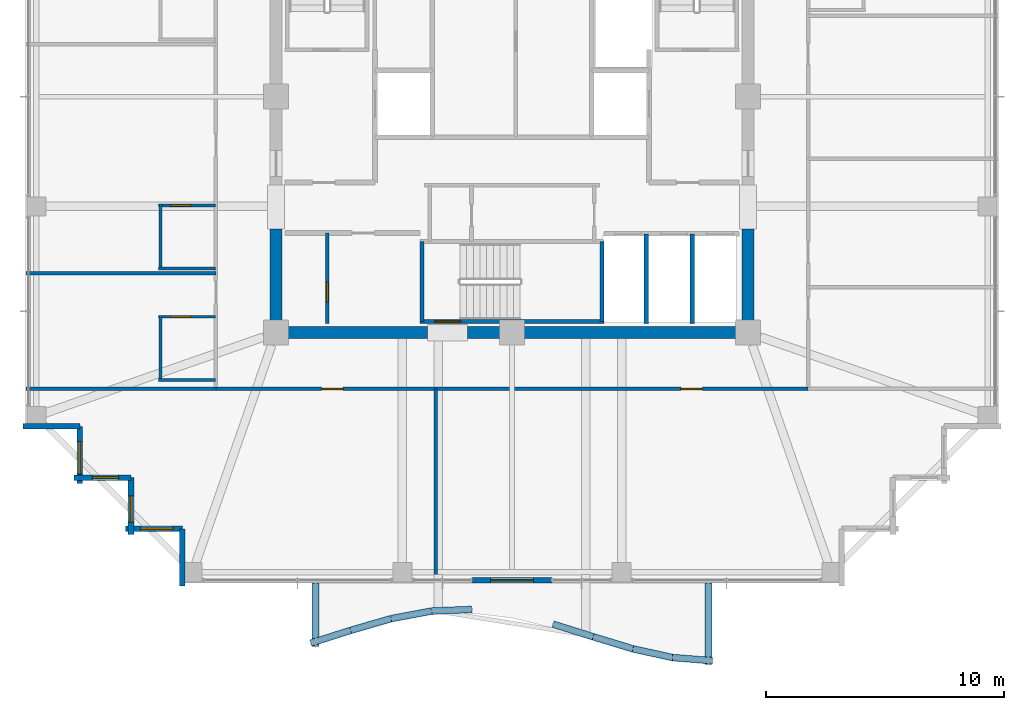
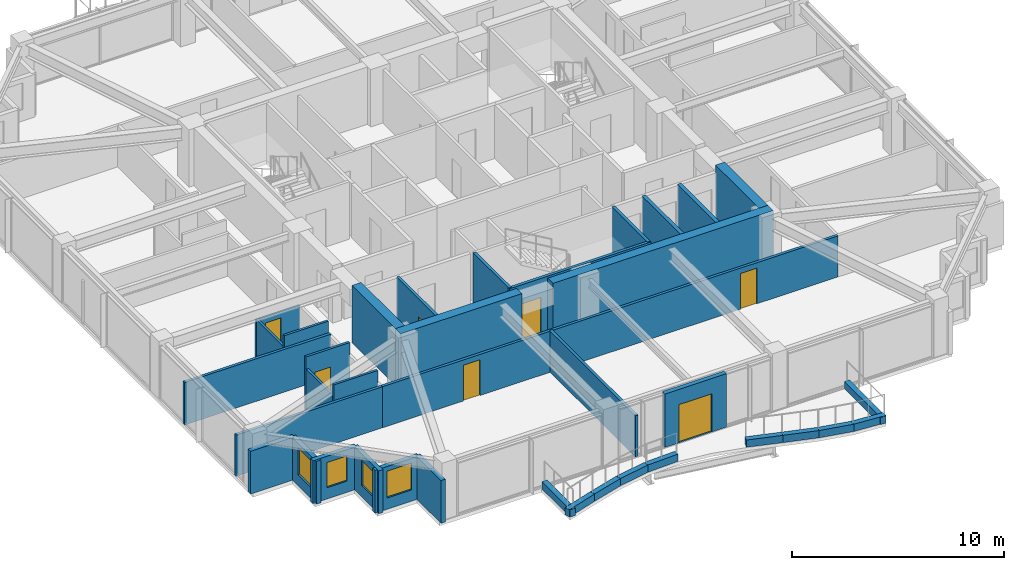
# One storey, part 30 of 36: 37 walls, 7 doors, 4 windows, 11 openings.
"""IFC4 building model written with IfcOpenShell, lengths in metres."""

from ifc_helpers import new_model, si_unit, direction, frame, frame_2d, origin, place, context, subcontext, project, spatial, rectangle, extrude, material, layer, layer_set, type_object, element, fill, save


model = new_model("IFC4")

# Units and contexts
model_context = context("Model", 3, precision=1e-05, world=origin(), true_north=direction((0.0, 1.0)))
body_context = subcontext(model_context, "Body", "Model", "MODEL_VIEW")
ifc_project = project(units=[si_unit("LENGTHUNIT", "METRE"), si_unit("AREAUNIT", "SQUARE_METRE"), si_unit("VOLUMEUNIT", "CUBIC_METRE"), si_unit("PLANEANGLEUNIT", "RADIAN"), si_unit("MASSUNIT", "GRAM", prefix="KILO")], contexts=[model_context])

# Site, building, storey
site_placement = place(None, origin())
site = spatial("IfcSite", under=ifc_project, at=site_placement, CompositionType="ELEMENT")
building_placement = place(site_placement, origin())
building = spatial("IfcBuilding", under=site, at=building_placement, Name="Kolvaren Belvedere", CompositionType="ELEMENT")
storey_placement = place(building_placement, frame((0.0, 0.0, 193.199951171875)))
storey = spatial("IfcBuildingStorey", under=building, at=storey_placement, Name="L56", CompositionType="ELEMENT", Elevation=193.199951171875)

# Walls
ifc_material_1 = material(Name="Concrete C50/60", Category="concrete")
ifc_layer_1 = layer(ifc_material_1, 0.5)
ifc_layer_set_1 = layer_set([ifc_layer_1], Name="Concrete C50/60")
wall_type_1 = type_object("IfcWallType", Name="CW-CORE-500", PredefinedType="SHEAR", material=ifc_layer_set_1)
wall_1_placement = place(storey_placement, frame((10.14990234375, -9.89990234375, 0.0), z_axis=(0.0, 0.0, 1.0), x_axis=(-1.0, 0.0, 0.0)))
element("IfcWall", 1, at=wall_1_placement, inside=storey, type_object=wall_type_1, Name="L56 South Core Shear Wall 1", PredefinedType="SHEAR", context=body_context, shape_type="SweptSolid", body=[
    extrude(rectangle(XDim=12.010009765625, YDim=0.5, at=frame_2d((6.0048828125, 0.0))), origin(), (0.0, 0.0, 1.0), 3.300048828125),
])
wall_2_placement = place(storey_placement, frame((-3.5400390625, -9.89990234375, 0.0), z_axis=(0.0, 0.0, 1.0), x_axis=(-1.0, 0.0, 0.0)))
element("IfcWall", 2, at=wall_2_placement, inside=storey, type_object=wall_type_1, Name="L56 South Core Shear Wall 2", PredefinedType="SHEAR", context=body_context, shape_type="SweptSolid", body=[
    extrude(rectangle(XDim=6.60986328125, YDim=0.5, at=frame_2d((3.304931640625, 0.0))), origin(), (0.0, 0.0, 1.0), 3.300048828125),
])
for number, where, z_axis, x_axis, name in (
    (3, (-9.89990234375, -9.64990234375, 0.0), (0.0, 0.0, 1.0), (0.0, 1.0, 0.0), "L56 West Core Shear Wall 1"),
    (4, (9.89990234375, -9.64990234375, 0.0), (0.0, 0.0, 1.0), (0.0, 1.0, 0.0), "L56 East Core Shear Wall 1"),
):
    element("IfcWall", number, at=place(storey_placement, frame(where, z_axis=z_axis, x_axis=x_axis)), inside=storey, type_object=wall_type_1, Name=name, PredefinedType="SHEAR", context=body_context, shape_type="SweptSolid", body=[
        extrude(rectangle(XDim=4.099853515625, YDim=0.5, at=frame_2d((2.0498046875, 0.0))), origin(), (0.0, 0.0, 1.0), 3.300048828125),
    ])

# Wall, opening, door
ifc_material_2 = material(Name="Concrete C50/60", Category="concrete")
ifc_layer_2 = layer(ifc_material_2, 0.159912109375)
ifc_layer_set_2 = layer_set([ifc_layer_2], Name="Concrete C50/60")
wall_type_2 = type_object("IfcWallType", Name="CW-STAIR-160", PredefinedType="SHEAR", material=ifc_layer_set_2)
wall_3_placement = place(storey_placement, frame((3.860107421875, -9.429931640625, 0.0), z_axis=(0.0, 0.0, 1.0), x_axis=(-1.0, 0.0, 0.0)))
wall_3 = element("IfcWall", 5, at=wall_3_placement, inside=storey, type_object=wall_type_2, Name="L56 Stair ST-3 South Shear Wall", PredefinedType="SHEAR", context=body_context, shape_type="SweptSolid", body=[
    extrude(rectangle(XDim=7.72021484375, YDim=0.159912109375, at=frame_2d((3.860107421875, 0.0))), origin(), (0.0, 0.0, 1.0), 3.300048828125),
])
opening_1_placement = place(wall_3_placement, frame((6.010009765625, 0.0, 0.0)))
opening_1 = element("IfcOpeningElement", 6, at=opening_1_placement, cuts=wall_3, Name="Opening D-FD90", PredefinedType="OPENING", context=body_context, shape_type="SweptSolid", body=[
    extrude(rectangle(XDim=1.10009765625, YDim=2.199951171875, at=frame_2d((0.550048828125, 1.10009765625))), frame((0.0, 0.08984375, 0.0), z_axis=(0.0, -1.0, 0.0), x_axis=(1.0, 0.0, 0.0)), (0.0, 0.0, 1.0), 0.179931640625),
])
ifc_material_3 = material(Name="Painted hollow stainless steel", Category="steel")
door_type_1 = type_object("IfcDoorType", Name="DR-FD90-1100", OperationType="NOTDEFINED", PredefinedType="DOOR", material=ifc_material_3)
door_1_placement = place(opening_1_placement, origin())
door_1 = element("IfcDoor", 7, at=door_1_placement, inside=storey, type_object=door_type_1, Name="L56 Stair ST-3 Exit Door", OperationType="SINGLE_SWING_RIGHT", OverallHeight=2.199951171875, OverallWidth=1.10009765625, PredefinedType="DOOR", context=body_context, shape_type="SweptSolid", body=[
    extrude(rectangle(XDim=1.10009765625, YDim=2.199951171875, at=frame_2d((0.550048828125, 1.10009765625))), frame((0.0, 0.02490234375, 0.0), z_axis=(0.0, -1.0, 0.0), x_axis=(1.0, 0.0, 0.0)), (0.0, 0.0, 1.0), 0.050048828125),
])
fill(opening_1, door_1)

# Walls
for number, where, z_axis, x_axis, name in (
    (8, (-3.780029296875, -9.429931640625, 0.0), (0.0, 0.0, 1.0), (0.0, 1.0, 0.0), "L56 Stair ST-3 West Shear Wall"),
    (9, (3.780029296875, -9.429931640625, 0.0), (0.0, 0.0, 1.0), (0.0, 1.0, 0.0), "L56 Stair ST-3 East Shear Wall"),
):
    element("IfcWall", number, at=place(storey_placement, frame(where, z_axis=z_axis, x_axis=x_axis)), inside=storey, type_object=wall_type_2, Name=name, PredefinedType="SHEAR", context=body_context, shape_type="SweptSolid", body=[
        extrude(rectangle(XDim=3.349853515625, YDim=0.159912109375, at=frame_2d((1.6748046875, 0.0))), origin(), (0.0, 0.0, 1.0), 3.300048828125),
    ])

# Wall, openings, doors
ifc_material_4 = material(Name="Gypsum fire-rated partition assembly", Category="gypsum")
ifc_layer_3 = layer(ifc_material_4, 0.14990234375)
ifc_layer_set_3 = layer_set([ifc_layer_3], Name="Gypsum fire-rated partition assembly")
wall_type_3 = type_object("IfcWallType", Name="WL-CORR-150", PredefinedType="PARTITIONING", material=ifc_layer_set_3)
wall_4_placement = place(storey_placement, frame((-12.419921875, -12.260009765625, 0.0), z_axis=(0.0, 0.0, 1.0), x_axis=(1.0, 0.0, 0.0)))
wall_4 = element("IfcWall", 10, at=wall_4_placement, inside=storey, type_object=wall_type_3, Name="L56 South Corridor Wall", PredefinedType="PARTITIONING", context=body_context, shape_type="SweptSolid", body=[
    extrude(rectangle(XDim=24.83984375, YDim=0.14990234375, at=frame_2d((12.419921875, 0.0))), origin(), (0.0, 0.0, 1.0), 2.369140625),
])
opening_2_placement = place(wall_4_placement, frame((4.43505859375, 0.0, 0.0)))
opening_2 = element("IfcOpeningElement", 11, at=opening_2_placement, cuts=wall_4, Name="Opening D-INT90", PredefinedType="OPENING", context=body_context, shape_type="SweptSolid", body=[
    extrude(rectangle(XDim=0.89990234375, YDim=2.06005859375, at=frame_2d((0.449951171875, 1.030029296875))), frame((0.0, 0.0849609375, 0.0), z_axis=(0.0, -1.0, 0.0), x_axis=(1.0, 0.0, 0.0)), (0.0, 0.0, 1.0), 0.169921875),
])
opening_3_placement = place(wall_4_placement, frame((19.5048828125, 0.0, 0.0)))
opening_3 = element("IfcOpeningElement", 12, at=opening_3_placement, cuts=wall_4, Name="Opening D-INT90", PredefinedType="OPENING", context=body_context, shape_type="SweptSolid", body=[
    extrude(rectangle(XDim=0.89990234375, YDim=2.06005859375, at=frame_2d((0.449951171875, 1.030029296875))), frame((0.0, 0.0849609375, 0.0), z_axis=(0.0, -1.0, 0.0), x_axis=(1.0, 0.0, 0.0)), (0.0, 0.0, 1.0), 0.169921875),
])
ifc_material_5 = material(Name="Stained Pacific white oak", Category="timber")
door_type_2 = type_object("IfcDoorType", Name="DR-INT-900", OperationType="NOTDEFINED", PredefinedType="DOOR", material=ifc_material_5)
door_2_placement = place(opening_2_placement, origin())
door_2 = element("IfcDoor", 13, at=door_2_placement, inside=storey, type_object=door_type_2, Name="L56 Lounge 5601 Door", OperationType="SINGLE_SWING_RIGHT", OverallHeight=2.06005859375, OverallWidth=0.89990234375, PredefinedType="DOOR", context=body_context, shape_type="SweptSolid", body=[
    extrude(rectangle(XDim=0.89990234375, YDim=2.06005859375, at=frame_2d((0.449951171875, 1.030029296875))), frame((0.0, 0.02490234375, 0.0), z_axis=(0.0, -1.0, 0.0), x_axis=(1.0, 0.0, 0.0)), (0.0, 0.0, 1.0), 0.050048828125),
])
fill(opening_2, door_2)
door_3_placement = place(opening_3_placement, origin())
door_3 = element("IfcDoor", 14, at=door_3_placement, inside=storey, type_object=door_type_2, Name="L56 Lounge 5602 Door", OperationType="SINGLE_SWING_LEFT", OverallHeight=2.06005859375, OverallWidth=0.89990234375, PredefinedType="DOOR", context=body_context, shape_type="SweptSolid", body=[
    extrude(rectangle(XDim=0.89990234375, YDim=2.06005859375, at=frame_2d((0.449951171875, 1.030029296875))), frame((0.0, 0.02490234375, 0.0), z_axis=(0.0, -1.0, 0.0), x_axis=(1.0, 0.0, 0.0)), (0.0, 0.0, 1.0), 0.050048828125),
])
fill(opening_3, door_3)

# Wall, opening, door
ifc_material_6 = material(Name="Insulated pale-metal facade wall assembly", Category="aluminium")
ifc_layer_4 = layer(ifc_material_6, 0.239990234375)
ifc_layer_set_4 = layer_set([ifc_layer_4], Name="Insulated pale-metal facade wall assembly")
wall_type_4 = type_object("IfcWallType", Name="WL-EXT-240", PredefinedType="STANDARD", material=ifc_layer_set_4)
wall_5_placement = place(storey_placement, frame((1.679931640625, -20.280029296875, 0.0), z_axis=(0.0, 0.0, 1.0), x_axis=(-1.0, 0.0, 0.0)))
wall_5 = element("IfcWall", 15, at=wall_5_placement, inside=storey, type_object=wall_type_4, Name="L56 South Terrace Portal Wall", PredefinedType="STANDARD", context=body_context, shape_type="SweptSolid", body=[
    extrude(rectangle(XDim=3.35986328125, YDim=0.239990234375, at=frame_2d((1.679931640625, 0.0))), origin(), (0.0, 0.0, 1.0), 3.080078125),
])
opening_4_placement = place(wall_5_placement, frame((0.780029296875, 0.0, 0.0)))
opening_4 = element("IfcOpeningElement", 16, at=opening_4_placement, cuts=wall_5, Name="Opening DB-1800", PredefinedType="OPENING", context=body_context, shape_type="SweptSolid", body=[
    extrude(rectangle(XDim=1.800048828125, YDim=2.199951171875, at=frame_2d((0.89990234375, 1.10009765625))), frame((0.0, 0.1298828125, 0.0), z_axis=(0.0, -1.0, 0.0), x_axis=(1.0, 0.0, 0.0)), (0.0, 0.0, 1.0), 0.260009765625),
])
ifc_material_7 = material(Name="Thermally broken pale-metal aluminium & low-iron glass", Category="aluminium")
door_type_3 = type_object("IfcDoorType", Name="DR-BAL-1800", OperationType="DOUBLE_DOOR_SLIDING", PredefinedType="DOOR", material=ifc_material_7)
door_4_placement = place(opening_4_placement, origin())
door_4 = element("IfcDoor", 17, at=door_4_placement, inside=storey, type_object=door_type_3, Name="L56 South Planted Terrace Sliding Door", OperationType="DOUBLE_DOOR_SLIDING", OverallHeight=2.199951171875, OverallWidth=1.800048828125, PredefinedType="DOOR", context=body_context, shape_type="SweptSolid", body=[
    extrude(rectangle(XDim=1.800048828125, YDim=2.199951171875, at=frame_2d((0.89990234375, 1.10009765625))), frame((0.0, 0.02490234375, 0.0), z_axis=(0.0, -1.0, 0.0), x_axis=(1.0, 0.0, 0.0)), (0.0, 0.0, 1.0), 0.050048828125),
])
fill(opening_4, door_4)

# Wall
wall_6_placement = place(storey_placement, frame((-18.1298828125, -13.830078125, 0.0), z_axis=(0.0, 0.0, 1.0), x_axis=(-1.0, 0.0, 0.0)))
element("IfcWall", 18, at=wall_6_placement, inside=storey, type_object=wall_type_4, Name="L56 Serrated Corner Facade Wall 23", PredefinedType="STANDARD", context=body_context, shape_type="SweptSolid", body=[
    extrude(rectangle(XDim=2.39013671875, YDim=0.239990234375, at=frame_2d((1.195068359375, 0.0))), origin(), (0.0, 0.0, 1.0), 2.463134765625),
])

# Wall, opening, window
wall_7_placement = place(storey_placement, frame((-18.1298828125, -16.219970703125, 0.0), z_axis=(0.0, 0.0, 1.0), x_axis=(0.0, 1.0, 0.0)))
wall_7 = element("IfcWall", 19, at=wall_7_placement, inside=storey, type_object=wall_type_4, Name="L56 Serrated Corner Facade Wall 24", PredefinedType="STANDARD", context=body_context, shape_type="SweptSolid", body=[
    extrude(rectangle(XDim=2.389892578125, YDim=0.239990234375, at=frame_2d((1.19482421875, 0.0))), origin(), (0.0, 0.0, 1.0), 2.463134765625),
])
opening_5_placement = place(wall_7_placement, frame((0.39990234375, 0.0, 0.64990234375)))
opening_5 = element("IfcOpeningElement", 20, at=opening_5_placement, cuts=wall_7, Name="Opening W-1350", PredefinedType="OPENING", context=body_context, shape_type="SweptSolid", body=[
    extrude(rectangle(XDim=1.35009765625, YDim=1.550048828125, at=frame_2d((0.675048828125, 0.77490234375))), frame((0.0, 0.1298828125, 0.0), z_axis=(0.0, -1.0, 0.0), x_axis=(1.0, 0.0, 0.0)), (0.0, 0.0, 1.0), 0.260009765625),
])
ifc_material_8 = material(Name="Low-iron triple insulated glass", Category="glass")
window_type_1 = type_object("IfcWindowType", Name="WN-CORN-1350", PartitioningType="SINGLE_PANEL", PredefinedType="WINDOW", material=ifc_material_8)
window_1_placement = place(opening_5_placement, origin())
window_1 = element("IfcWindow", 21, at=window_1_placement, inside=storey, type_object=window_type_1, Name="L56 Serrated Corner Vision Window 24", OverallHeight=1.550048828125, OverallWidth=1.35009765625, PartitioningType="SINGLE_PANEL", PredefinedType="WINDOW", context=body_context, shape_type="SweptSolid", body=[
    extrude(rectangle(XDim=1.35009765625, YDim=1.550048828125, at=frame_2d((0.675048828125, 0.77490234375))), frame((0.0, 0.030029296875, 0.0), z_axis=(0.0, -1.0, 0.0), x_axis=(1.0, 0.0, 0.0)), (0.0, 0.0, 1.0), 0.06005859375),
])
fill(opening_5, window_1)

wall_8_placement = place(storey_placement, frame((-15.97998046875, -15.97998046875, 0.0), z_axis=(0.0, 0.0, 1.0), x_axis=(-1.0, 0.0, 0.0)))
wall_8 = element("IfcWall", 22, at=wall_8_placement, inside=storey, type_object=wall_type_4, Name="L56 Serrated Corner Facade Wall 25", PredefinedType="STANDARD", context=body_context, shape_type="SweptSolid", body=[
    extrude(rectangle(XDim=2.39013671875, YDim=0.239990234375, at=frame_2d((1.195068359375, 0.0))), origin(), (0.0, 0.0, 1.0), 2.463134765625),
])
opening_6_placement = place(wall_8_placement, frame((0.52490234375, 0.0, 0.64990234375)))
opening_6 = element("IfcOpeningElement", 23, at=opening_6_placement, cuts=wall_8, Name="Opening W-1100", PredefinedType="OPENING", context=body_context, shape_type="SweptSolid", body=[
    extrude(rectangle(XDim=1.10009765625, YDim=1.449951171875, at=frame_2d((0.550048828125, 0.72509765625))), frame((0.0, 0.1298828125, 0.0), z_axis=(0.0, -1.0, 0.0), x_axis=(1.0, 0.0, 0.0)), (0.0, 0.0, 1.0), 0.260009765625),
])
ifc_material_9 = material(Name="Low-iron triple insulated glass", Category="glass")
window_type_2 = type_object("IfcWindowType", Name="WN-CORN-1100", PartitioningType="SINGLE_PANEL", PredefinedType="WINDOW", material=ifc_material_9)
window_2_placement = place(opening_6_placement, origin())
window_2 = element("IfcWindow", 24, at=window_2_placement, inside=storey, type_object=window_type_2, Name="L56 Serrated Corner Vision Window 25", OverallHeight=1.449951171875, OverallWidth=1.10009765625, PartitioningType="SINGLE_PANEL", PredefinedType="WINDOW", context=body_context, shape_type="SweptSolid", body=[
    extrude(rectangle(XDim=1.10009765625, YDim=1.449951171875, at=frame_2d((0.550048828125, 0.72509765625))), frame((0.0, 0.030029296875, 0.0), z_axis=(0.0, -1.0, 0.0), x_axis=(1.0, 0.0, 0.0)), (0.0, 0.0, 1.0), 0.06005859375),
])
fill(opening_6, window_2)

wall_9_placement = place(storey_placement, frame((-15.97998046875, -18.3701171875, 0.0), z_axis=(0.0, 0.0, 1.0), x_axis=(0.0, 1.0, 0.0)))
wall_9 = element("IfcWall", 25, at=wall_9_placement, inside=storey, type_object=wall_type_4, Name="L56 Serrated Corner Facade Wall 26", PredefinedType="STANDARD", context=body_context, shape_type="SweptSolid", body=[
    extrude(rectangle(XDim=2.39013671875, YDim=0.239990234375, at=frame_2d((1.195068359375, 0.0))), origin(), (0.0, 0.0, 1.0), 2.463134765625),
])
opening_7_placement = place(wall_9_placement, frame((0.52490234375, 0.0, 0.64990234375)))
opening_7 = element("IfcOpeningElement", 26, at=opening_7_placement, cuts=wall_9, Name="Opening W-1100", PredefinedType="OPENING", context=body_context, shape_type="SweptSolid", body=[
    extrude(rectangle(XDim=1.10009765625, YDim=1.449951171875, at=frame_2d((0.550048828125, 0.72509765625))), frame((0.0, 0.1298828125, 0.0), z_axis=(0.0, -1.0, 0.0), x_axis=(1.0, 0.0, 0.0)), (0.0, 0.0, 1.0), 0.260009765625),
])
window_3_placement = place(opening_7_placement, origin())
window_3 = element("IfcWindow", 27, at=window_3_placement, inside=storey, type_object=window_type_2, Name="L56 Serrated Corner Vision Window 26", OverallHeight=1.449951171875, OverallWidth=1.10009765625, PartitioningType="SINGLE_PANEL", PredefinedType="WINDOW", context=body_context, shape_type="SweptSolid", body=[
    extrude(rectangle(XDim=1.10009765625, YDim=1.449951171875, at=frame_2d((0.550048828125, 0.72509765625))), frame((0.0, 0.030029296875, 0.0), z_axis=(0.0, -1.0, 0.0), x_axis=(1.0, 0.0, 0.0)), (0.0, 0.0, 1.0), 0.06005859375),
])
fill(opening_7, window_3)

wall_10_placement = place(storey_placement, frame((-13.830078125, -18.1298828125, 0.0), z_axis=(0.0, 0.0, 1.0), x_axis=(-1.0, 0.0, 0.0)))
wall_10 = element("IfcWall", 28, at=wall_10_placement, inside=storey, type_object=wall_type_4, Name="L56 Serrated Corner Facade Wall 27", PredefinedType="STANDARD", context=body_context, shape_type="SweptSolid", body=[
    extrude(rectangle(XDim=2.389892578125, YDim=0.239990234375, at=frame_2d((1.19482421875, 0.0))), origin(), (0.0, 0.0, 1.0), 2.463134765625),
])
opening_8_placement = place(wall_10_placement, frame((0.39990234375, 0.0, 0.64990234375)))
opening_8 = element("IfcOpeningElement", 29, at=opening_8_placement, cuts=wall_10, Name="Opening W-1350", PredefinedType="OPENING", context=body_context, shape_type="SweptSolid", body=[
    extrude(rectangle(XDim=1.35009765625, YDim=1.550048828125, at=frame_2d((0.675048828125, 0.77490234375))), frame((0.0, 0.1298828125, 0.0), z_axis=(0.0, -1.0, 0.0), x_axis=(1.0, 0.0, 0.0)), (0.0, 0.0, 1.0), 0.260009765625),
])
window_4_placement = place(opening_8_placement, origin())
window_4 = element("IfcWindow", 30, at=window_4_placement, inside=storey, type_object=window_type_1, Name="L56 Serrated Corner Vision Window 27", OverallHeight=1.550048828125, OverallWidth=1.35009765625, PartitioningType="SINGLE_PANEL", PredefinedType="WINDOW", context=body_context, shape_type="SweptSolid", body=[
    extrude(rectangle(XDim=1.35009765625, YDim=1.550048828125, at=frame_2d((0.675048828125, 0.77490234375))), frame((0.0, 0.030029296875, 0.0), z_axis=(0.0, -1.0, 0.0), x_axis=(1.0, 0.0, 0.0)), (0.0, 0.0, 1.0), 0.06005859375),
])
fill(opening_8, window_4)

# Wall
wall_11_placement = place(storey_placement, frame((-13.830078125, -20.52001953125, 0.0), z_axis=(0.0, 0.0, 1.0), x_axis=(0.0, 1.0, 0.0)))
element("IfcWall", 31, at=wall_11_placement, inside=storey, type_object=wall_type_4, Name="L56 Serrated Corner Facade Wall 28", PredefinedType="STANDARD", context=body_context, shape_type="SweptSolid", body=[
    extrude(rectangle(XDim=2.39013671875, YDim=0.239990234375, at=frame_2d((1.195068359375, 0.0))), origin(), (0.0, 0.0, 1.0), 2.463134765625),
])

# Wall, opening, door
ifc_material_10 = material(Name="Gypsum acoustic partition assembly", Category="gypsum")
ifc_layer_5 = layer(ifc_material_10, 0.14990234375)
ifc_layer_set_5 = layer_set([ifc_layer_5], Name="Gypsum acoustic partition assembly")
wall_type_5 = type_object("IfcWallType", Name="WL-PART-150", PredefinedType="PARTITIONING", material=ifc_layer_set_5)
wall_12_placement = place(storey_placement, frame((-7.75, -9.52001953125, 0.0), z_axis=(0.0, 0.0, 1.0), x_axis=(0.0, 1.0, 0.0)))
wall_12 = element("IfcWall", 32, at=wall_12_placement, inside=storey, type_object=wall_type_5, Name="L56 Reclaimed Mid Store Divider", PredefinedType="PARTITIONING", context=body_context, shape_type="SweptSolid", body=[
    extrude(rectangle(XDim=3.800048828125, YDim=0.14990234375, at=frame_2d((1.89990234375, 0.0))), origin(), (0.0, 0.0, 1.0), 3.080078125),
])
opening_9_placement = place(wall_12_placement, frame((0.89990234375, 0.0, 0.0)))
opening_9 = element("IfcOpeningElement", 33, at=opening_9_placement, cuts=wall_12, Name="Opening D-INT85", PredefinedType="OPENING", context=body_context, shape_type="SweptSolid", body=[
    extrude(rectangle(XDim=0.85009765625, YDim=2.030029296875, at=frame_2d((0.425048828125, 1.01513671875))), frame((0.0, 0.0849609375, 0.0), z_axis=(0.0, -1.0, 0.0), x_axis=(1.0, 0.0, 0.0)), (0.0, 0.0, 1.0), 0.169921875),
])
ifc_material_11 = material(Name="Stained Pacific white oak", Category="timber")
door_type_4 = type_object("IfcDoorType", Name="DR-INT-850", OperationType="NOTDEFINED", PredefinedType="DOOR", material=ifc_material_11)
door_5_placement = place(opening_9_placement, origin())
door_5 = element("IfcDoor", 34, at=door_5_placement, inside=storey, type_object=door_type_4, Name="L56 Janitor Store Door", OperationType="SINGLE_SWING_RIGHT", OverallHeight=2.030029296875, OverallWidth=0.85009765625, PredefinedType="DOOR", context=body_context, shape_type="SweptSolid", body=[
    extrude(rectangle(XDim=0.85009765625, YDim=2.030029296875, at=frame_2d((0.425048828125, 1.01513671875))), frame((0.0, 0.02490234375, 0.0), z_axis=(0.0, -1.0, 0.0), x_axis=(1.0, 0.0, 0.0)), (0.0, 0.0, 1.0), 0.050048828125),
])
fill(opening_9, door_5)

# Walls
wall_13_placement = place(storey_placement, frame((-20.3798828125, -12.260009765625, 0.0), z_axis=(0.0, 0.0, 1.0), x_axis=(1.0, 0.0, 0.0)))
element("IfcWall", 35, at=wall_13_placement, inside=storey, type_object=wall_type_5, Name="L56 Wing Divider PW-L56-QSW", PredefinedType="PARTITIONING", context=body_context, shape_type="SweptSolid", body=[
    extrude(rectangle(XDim=7.9599609375, YDim=0.14990234375, at=frame_2d((3.97998046875, 0.0))), origin(), (0.0, 0.0, 1.0), 2.369140625),
])
wall_14_placement = place(storey_placement, frame((-3.199951171875, -20.3798828125, 0.0), z_axis=(0.0, 0.0, 1.0), x_axis=(0.0, 1.0, 0.0)))
element("IfcWall", 36, at=wall_14_placement, inside=storey, type_object=wall_type_5, Name="L56 South Suite Demising Wall 1", PredefinedType="PARTITIONING", context=body_context, shape_type="SweptSolid", body=[
    extrude(rectangle(XDim=8.119873046875, YDim=0.14990234375, at=frame_2d((4.06005859375, 0.0))), origin(), (0.0, 0.0, 1.0), 2.369140625),
])
wall_15_placement = place(storey_placement, frame((-20.3798828125, -7.39990234375, 0.0), z_axis=(0.0, 0.0, 1.0), x_axis=(1.0, 0.0, 0.0)))
element("IfcWall", 37, at=wall_15_placement, inside=storey, type_object=wall_type_5, Name="L56 West Suite Demising Wall 1", PredefinedType="PARTITIONING", context=body_context, shape_type="SweptSolid", body=[
    extrude(rectangle(XDim=7.9599609375, YDim=0.14990234375, at=frame_2d((3.97998046875, 0.0))), origin(), (0.0, 0.0, 1.0), 2.453125),
])
ifc_material_12 = material(Name="Precast concrete C40/50", Category="concrete")
ifc_layer_6 = layer(ifc_material_12, 0.300048828125)
ifc_layer_set_6 = layer_set([ifc_layer_6], Name="Precast concrete C40/50")
wall_type_6 = type_object("IfcWallType", Name="WL-PLANTER-300", PredefinedType="PARAPET", material=ifc_layer_set_6)
wall_16_placement = place(storey_placement, frame((-8.448486328125, -22.92138671875, -0.0400390625), z_axis=(0.0, 0.0, 1.0), x_axis=(0.952661770826, 0.304032153573, 0.0)))
element("IfcWall", 38, at=wall_16_placement, inside=storey, type_object=wall_type_6, Name="L56 Precast Structural Planter Wall BAL-S-1", PredefinedType="PARAPET", context=body_context, shape_type="SweptSolid", body=[
    extrude(rectangle(XDim=1.763427734375, YDim=0.280029296875, at=frame_2d((0.8818359375, 0.0))), origin(), (0.0, 0.0, 1.0), 0.420166015625),
])
wall_17_placement = place(storey_placement, frame((-6.764404296875, -22.3837890625, -0.0400390625), z_axis=(0.0, 0.0, 1.0), x_axis=(0.960633903819, 0.277817391164, 0.0)))
element("IfcWall", 39, at=wall_17_placement, inside=storey, type_object=wall_type_6, Name="L56 Precast Structural Planter Wall BAL-S-2", PredefinedType="PARAPET", context=body_context, shape_type="SweptSolid", body=[
    extrude(rectangle(XDim=1.748779296875, YDim=0.280029296875, at=frame_2d((0.87451171875, 0.0))), origin(), (0.0, 0.0, 1.0), 0.420166015625),
])
wall_18_placement = place(storey_placement, frame((-5.069580078125, -21.894287109375, -0.0400390625), z_axis=(0.0, 0.0, 1.0), x_axis=(0.982799348901, 0.18467658162, 0.0)))
element("IfcWall", 40, at=wall_18_placement, inside=storey, type_object=wall_type_6, Name="L56 Precast Structural Planter Wall BAL-S-3", PredefinedType="PARAPET", context=body_context, shape_type="SweptSolid", body=[
    extrude(rectangle(XDim=1.709228515625, YDim=0.280029296875, at=frame_2d((0.8544921875, 0.0))), origin(), (0.0, 0.0, 1.0), 0.420166015625),
])
wall_19_placement = place(storey_placement, frame((-3.366455078125, -21.575927734375, -0.0400390625), z_axis=(0.0, 0.0, 1.0), x_axis=(0.999196778482, 0.040072407855, 0.0)))
element("IfcWall", 41, at=wall_19_placement, inside=storey, type_object=wall_type_6, Name="L56 Precast Structural Planter Wall BAL-S-4", PredefinedType="PARAPET", context=body_context, shape_type="SweptSolid", body=[
    extrude(rectangle(XDim=1.681640625, YDim=0.280029296875, at=frame_2d((0.8408203125, 0.0))), origin(), (0.0, 0.0, 1.0), 0.420166015625),
])
wall_20_placement = place(storey_placement, frame((1.727783203125, -22.127685546875, -0.0400390625), z_axis=(0.0, 0.0, 1.0), x_axis=(0.954069594374, -0.299585061529, 0.0)))
element("IfcWall", 42, at=wall_20_placement, inside=storey, type_object=wall_type_6, Name="L56 Precast Structural Planter Wall BAL-S-7", PredefinedType="PARAPET", context=body_context, shape_type="SweptSolid", body=[
    extrude(rectangle(XDim=1.760986328125, YDim=0.280029296875, at=frame_2d((0.88037109375, 0.0))), origin(), (0.0, 0.0, 1.0), 0.420166015625),
])
wall_21_placement = place(storey_placement, frame((3.406494140625, -22.65478515625, -0.0400390625), z_axis=(0.0, 0.0, 1.0), x_axis=(0.956771481005, -0.290840734999, 0.0)))
element("IfcWall", 43, at=wall_21_placement, inside=storey, type_object=wall_type_6, Name="L56 Precast Structural Planter Wall BAL-S-8", PredefinedType="PARAPET", context=body_context, shape_type="SweptSolid", body=[
    extrude(rectangle(XDim=1.756103515625, YDim=0.280029296875, at=frame_2d((0.8779296875, 0.0))), origin(), (0.0, 0.0, 1.0), 0.420166015625),
])
wall_22_placement = place(storey_placement, frame((5.07421875, -23.162353515625, -0.0400390625), z_axis=(0.0, 0.0, 1.0), x_axis=(0.976876857632, -0.213802724545, 0.0)))
element("IfcWall", 44, at=wall_22_placement, inside=storey, type_object=wall_type_6, Name="L56 Precast Structural Planter Wall BAL-S-9", PredefinedType="PARAPET", context=body_context, shape_type="SweptSolid", body=[
    extrude(rectangle(XDim=1.7197265625, YDim=0.280029296875, at=frame_2d((0.85986328125, 0.0))), origin(), (0.0, 0.0, 1.0), 0.420166015625),
])
wall_23_placement = place(storey_placement, frame((6.732666015625, -23.52685546875, -0.0400390625), z_axis=(0.0, 0.0, 1.0), x_axis=(0.99685522818, -0.079244268248, 0.0)))
element("IfcWall", 45, at=wall_23_placement, inside=storey, type_object=wall_type_6, Name="L56 Precast Structural Planter Wall BAL-S-10", PredefinedType="PARAPET", context=body_context, shape_type="SweptSolid", body=[
    extrude(rectangle(XDim=1.685302734375, YDim=0.280029296875, at=frame_2d((0.8427734375, 0.0))), origin(), (0.0, 0.0, 1.0), 0.420166015625),
])
wall_24_placement = place(storey_placement, frame((8.239990234375, -23.820068359375, -0.0400390625), z_axis=(0.0, 0.0, 1.0), x_axis=(0.0, 1.0, 0.0)))
element("IfcWall", 46, at=wall_24_placement, inside=storey, type_object=wall_type_6, Name="L56 Precast Structural Planter Wall BAL-S-11", PredefinedType="PARAPET", context=body_context, shape_type="SweptSolid", body=[
    extrude(rectangle(XDim=3.420166015625, YDim=0.280029296875, at=frame_2d((1.7099609375, 0.0))), origin(), (0.0, 0.0, 1.0), 0.420166015625),
])
wall_25_placement = place(storey_placement, frame((-8.239990234375, -20.39990234375, -0.0400390625), z_axis=(0.0, 0.0, 1.0), x_axis=(0.0, -1.0, 0.0)))
element("IfcWall", 47, at=wall_25_placement, inside=storey, type_object=wall_type_6, Name="L56 Precast Structural Planter Wall BAL-S-22", PredefinedType="PARAPET", context=body_context, shape_type="SweptSolid", body=[
    extrude(rectangle(XDim=2.673828125, YDim=0.280029296875, at=frame_2d((1.3369140625, 0.0))), origin(), (0.0, 0.0, 1.0), 0.420166015625),
])
ifc_material_13 = material(Name="Concrete C50/60", Category="concrete")
ifc_layer_7 = layer(ifc_material_13, 0.199951171875)
ifc_layer_set_7 = layer_set([ifc_layer_7], Name="Concrete C50/60")
wall_type_7 = type_object("IfcWallType", Name="WL-SHAFT-200", PredefinedType="SOLIDWALL", material=ifc_layer_set_7)
for number, where, z_axis, x_axis, name in (
    (48, (5.6298828125, -9.52001953125, 0.0), (0.0, 0.0, 1.0), (0.0, 1.0, 0.0), "L56 High-Rise Hoistway Divider 1"),
    (49, (7.56005859375, -9.52001953125, 0.0), (0.0, 0.0, 1.0), (0.0, 1.0, 0.0), "L56 High-Rise Hoistway Divider 2"),
):
    element("IfcWall", number, at=place(storey_placement, frame(where, z_axis=z_axis, x_axis=x_axis)), inside=storey, type_object=wall_type_7, Name=name, PredefinedType="SOLIDWALL", context=body_context, shape_type="SweptSolid", body=[
        extrude(rectangle(XDim=3.77001953125, YDim=0.199951171875, at=frame_2d((1.885009765625, 0.0))), origin(), (0.0, 0.0, 1.0), 3.080078125),
    ])

# Wall, opening, door
ifc_material_14 = material(Name="Moisture-resistant gypsum partition", Category="gypsum")
ifc_layer_8 = layer(ifc_material_14, 0.125)
ifc_layer_set_8 = layer_set([ifc_layer_8], Name="Moisture-resistant gypsum partition")
wall_type_8 = type_object("IfcWallType", Name="WL-WET-125", PredefinedType="PARTITIONING", material=ifc_layer_set_8)
wall_26_placement = place(storey_placement, frame((-14.824951171875, -9.23095703125, 0.0), z_axis=(0.0, 0.0, 1.0), x_axis=(1.0, 0.0, 0.0)))
wall_26 = element("IfcWall", 50, at=wall_26_placement, inside=storey, type_object=wall_type_8, Name="L56 Bathroom Partition PW-L56-BTH-8-N", PredefinedType="PARTITIONING", context=body_context, shape_type="SweptSolid", body=[
    extrude(rectangle(XDim=2.389892578125, YDim=0.125, at=frame_2d((1.19482421875, 0.0))), origin(), (0.0, 0.0, 1.0), 3.080078125),
])
opening_10_placement = place(wall_26_placement, frame((0.5, 0.0, 0.0)))
opening_10 = element("IfcOpeningElement", 51, at=opening_10_placement, cuts=wall_26, Name="Opening D-BTH85", PredefinedType="OPENING", context=body_context, shape_type="SweptSolid", body=[
    extrude(rectangle(XDim=0.85009765625, YDim=2.030029296875, at=frame_2d((0.425048828125, 1.01513671875))), frame((0.0, 0.072509765625, 0.0), z_axis=(0.0, -1.0, 0.0), x_axis=(1.0, 0.0, 0.0)), (0.0, 0.0, 1.0), 0.14501953125),
])
ifc_material_15 = material(Name="Moisture-sealed Pacific white oak", Category="timber")
door_type_5 = type_object("IfcDoorType", Name="DR-BATH-850", OperationType="NOTDEFINED", PredefinedType="DOOR", material=ifc_material_15)
door_6_placement = place(opening_10_placement, origin())
door_6 = element("IfcDoor", 52, at=door_6_placement, inside=storey, type_object=door_type_5, Name="L56 En-Suite Bathroom 5608 Door", OperationType="SINGLE_SWING_RIGHT", OverallHeight=2.030029296875, OverallWidth=0.85009765625, PredefinedType="DOOR", context=body_context, shape_type="SweptSolid", body=[
    extrude(rectangle(XDim=0.85009765625, YDim=2.030029296875, at=frame_2d((0.425048828125, 1.01513671875))), frame((0.0, 0.02490234375, 0.0), z_axis=(0.0, -1.0, 0.0), x_axis=(1.0, 0.0, 0.0)), (0.0, 0.0, 1.0), 0.050048828125),
])
fill(opening_10, door_6)

# Walls
wall_27_placement = place(storey_placement, frame((-14.7451171875, -11.94091796875, 0.0), z_axis=(0.0, 0.0, 1.0), x_axis=(0.0, 1.0, 0.0)))
element("IfcWall", 53, at=wall_27_placement, inside=storey, type_object=wall_type_8, Name="L56 Bathroom Partition PW-L56-BTH-8-V", PredefinedType="PARTITIONING", context=body_context, shape_type="SweptSolid", body=[
    extrude(rectangle(XDim=2.77001953125, YDim=0.125, at=frame_2d((1.385009765625, 0.0))), origin(), (0.0, 0.0, 1.0), 2.369140625),
])
wall_28_placement = place(storey_placement, frame((-14.824951171875, -11.881103515625, 0.0), z_axis=(0.0, 0.0, 1.0), x_axis=(1.0, 0.0, 0.0)))
element("IfcWall", 54, at=wall_28_placement, inside=storey, type_object=wall_type_8, Name="L56 Bathroom Partition PW-L56-BTH-8-S", PredefinedType="PARTITIONING", context=body_context, shape_type="SweptSolid", body=[
    extrude(rectangle(XDim=2.389892578125, YDim=0.125, at=frame_2d((1.19482421875, 0.0))), origin(), (0.0, 0.0, 1.0), 3.080078125),
])

# Wall, opening, door
wall_29_placement = place(storey_placement, frame((-14.824951171875, -4.554931640625, 0.0), z_axis=(0.0, 0.0, 1.0), x_axis=(1.0, 0.0, 0.0)))
wall_29 = element("IfcWall", 55, at=wall_29_placement, inside=storey, type_object=wall_type_8, Name="L56 Bathroom Partition PW-L56-BTH-9-N", PredefinedType="PARTITIONING", context=body_context, shape_type="SweptSolid", body=[
    extrude(rectangle(XDim=2.389892578125, YDim=0.125, at=frame_2d((1.19482421875, 0.0))), origin(), (0.0, 0.0, 1.0), 2.369140625),
])
opening_11_placement = place(wall_29_placement, frame((0.5, 0.0, 0.0)))
opening_11 = element("IfcOpeningElement", 56, at=opening_11_placement, cuts=wall_29, Name="Opening D-BTH85", PredefinedType="OPENING", context=body_context, shape_type="SweptSolid", body=[
    extrude(rectangle(XDim=0.85009765625, YDim=2.030029296875, at=frame_2d((0.425048828125, 1.01513671875))), frame((0.0, 0.072509765625, 0.0), z_axis=(0.0, -1.0, 0.0), x_axis=(1.0, 0.0, 0.0)), (0.0, 0.0, 1.0), 0.14501953125),
])
door_7_placement = place(opening_11_placement, origin())
door_7 = element("IfcDoor", 57, at=door_7_placement, inside=storey, type_object=door_type_5, Name="L56 En-Suite Bathroom 5609 Door", OperationType="SINGLE_SWING_RIGHT", OverallHeight=2.030029296875, OverallWidth=0.85009765625, PredefinedType="DOOR", context=body_context, shape_type="SweptSolid", body=[
    extrude(rectangle(XDim=0.85009765625, YDim=2.030029296875, at=frame_2d((0.425048828125, 1.01513671875))), frame((0.0, 0.02490234375, 0.0), z_axis=(0.0, -1.0, 0.0), x_axis=(1.0, 0.0, 0.0)), (0.0, 0.0, 1.0), 0.050048828125),
])
fill(opening_11, door_7)

# Walls
wall_30_placement = place(storey_placement, frame((-14.7451171875, -7.264892578125, 0.0), z_axis=(0.0, 0.0, 1.0), x_axis=(0.0, 1.0, 0.0)))
element("IfcWall", 58, at=wall_30_placement, inside=storey, type_object=wall_type_8, Name="L56 Bathroom Partition PW-L56-BTH-9-V", PredefinedType="PARTITIONING", context=body_context, shape_type="SweptSolid", body=[
    extrude(rectangle(XDim=2.769775390625, YDim=0.125, at=frame_2d((1.384765625, 0.0))), origin(), (0.0, 0.0, 1.0), 2.369140625),
])
wall_31_placement = place(storey_placement, frame((-14.824951171875, -7.205078125, 0.0), z_axis=(0.0, 0.0, 1.0), x_axis=(1.0, 0.0, 0.0)))
element("IfcWall", 59, at=wall_31_placement, inside=storey, type_object=wall_type_8, Name="L56 Bathroom Partition PW-L56-BTH-9-S", PredefinedType="PARTITIONING", context=body_context, shape_type="SweptSolid", body=[
    extrude(rectangle(XDim=2.389892578125, YDim=0.125, at=frame_2d((1.19482421875, 0.0))), origin(), (0.0, 0.0, 1.0), 3.080078125),
])

save(model, "model.ifc")
